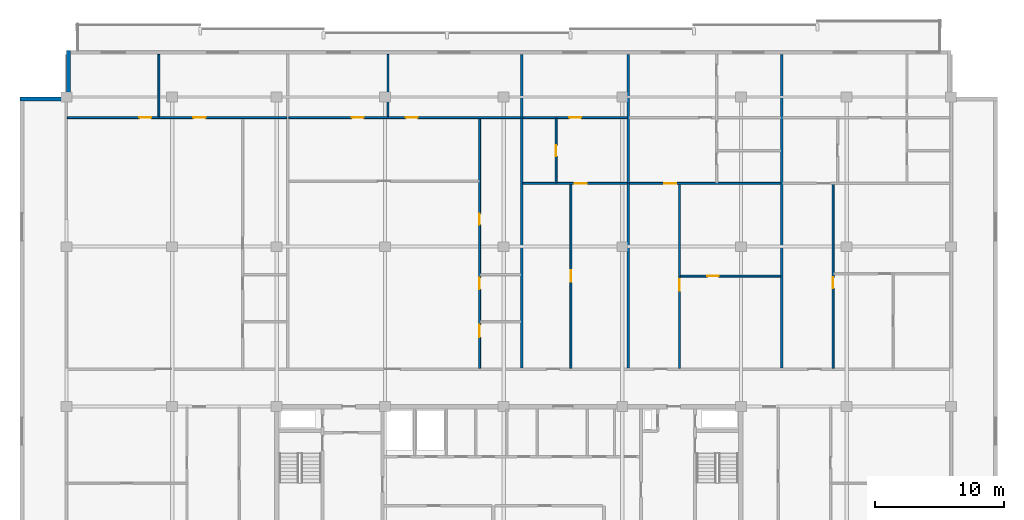
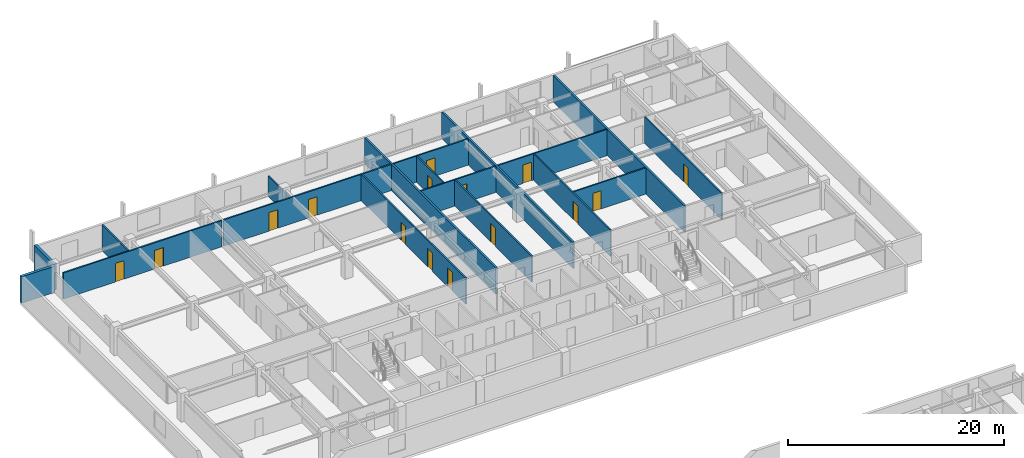
# One storey, part 14 of 22: 18 walls, 15 doors, 15 openings.
"""IFC4 building model written with IfcOpenShell, lengths in metres."""

from ifc_helpers import new_model, si_unit, direction, frame, frame_2d, origin, place, context, subcontext, project, spatial, rectangle, extrude, material, layer, layer_set, type_object, element, fill, save


model = new_model("IFC4")

# Units and contexts
model_context = context("Model", 3, precision=1e-05, world=origin(), true_north=direction((0.0, 1.0)))
body_context = subcontext(model_context, "Body", "Model", "MODEL_VIEW")
ifc_project = project(units=[si_unit("LENGTHUNIT", "METRE"), si_unit("AREAUNIT", "SQUARE_METRE"), si_unit("VOLUMEUNIT", "CUBIC_METRE"), si_unit("PLANEANGLEUNIT", "RADIAN"), si_unit("MASSUNIT", "GRAM", prefix="KILO")], contexts=[model_context])

# Site, building, storey
site_placement = place(None, origin())
site = spatial("IfcSite", under=ifc_project, at=site_placement, CompositionType="ELEMENT")
building_placement = place(site_placement, origin())
building = spatial("IfcBuilding", under=site, at=building_placement, Name="Korimba Cascade Residences", CompositionType="ELEMENT")
storey_placement = place(building_placement, frame((0.0, 0.0, 181.60009765625)))
storey = spatial("IfcBuildingStorey", under=building, at=storey_placement, Name="L52", CompositionType="ELEMENT", Elevation=181.60009765625)

# Walls
ifc_material_1 = material(Name="Precast concrete C40/50", Category="concrete")
ifc_layer_1 = layer(ifc_material_1, 0.300048828125)
ifc_layer_set_1 = layer_set([ifc_layer_1], Name="Precast concrete C40/50")
wall_type_1 = type_object("IfcWallType", Name="EW-STONE-300", PredefinedType="STANDARD", material=ifc_layer_set_1)
for number, where, z_axis, x_axis, name in (
    (1, (59.949951171875, 94.800048828125, 0.0), (0.0, 0.0, 1.0), (0.0, -1.0, 0.0), "L52 T1 Perimeter Stone Wall E07"),
    (2, (59.800048828125, 91.050048828125, 0.0), (0.0, 0.0, 1.0), (-1.0, 0.0, 0.0), "L52 T1 Perimeter Stone Wall E08"),
):
    element("IfcWall", number, at=place(storey_placement, frame(where, z_axis=z_axis, x_axis=x_axis)), inside=storey, type_object=wall_type_1, Name=name, PredefinedType="STANDARD", context=body_context, shape_type="SweptSolid", body=[
        extrude(rectangle(XDim=3.60009765625, YDim=0.300048828125, at=frame_2d((1.800048828125, 0.0))), origin(), (0.0, 0.0, 1.0), 2.969970703125),
    ])
ifc_layer_2 = layer(ifc_material_1, 0.199951171875)
ifc_layer_set_2 = layer_set([ifc_layer_2], Name="Precast concrete C40/50")
wall_type_2 = type_object("IfcWallType", Name="WAL-IT-200", PredefinedType="PARTITIONING", material=ifc_layer_set_2)
for number, where, z_axis, x_axis, name in (
    (3, (95.111328125, 70.179931640625, 0.0), (0.0, 0.0, 1.0), (0.0, 1.0, 0.0), "L52 Partition Wall WAL-L52-T1-DEM-2"),
    (4, (103.37060546875, 70.179931640625, 0.0), (0.0, 0.0, 1.0), (0.0, 1.0, 0.0), "L52 Partition Wall WAL-L52-T1-DEM-3"),
    (5, (115.27734375, 70.179931640625, 0.0), (0.0, 0.0, 1.0), (0.0, 1.0, 0.0), "L52 Partition Wall WAL-L52-T1-DEM-4"),
):
    element("IfcWall", number, at=place(storey_placement, frame(where, z_axis=z_axis, x_axis=x_axis)), inside=storey, type_object=wall_type_2, Name=name, PredefinedType="PARTITIONING", context=body_context, shape_type="SweptSolid", body=[
        extrude(rectangle(XDim=24.320068359375, YDim=0.199951171875, at=frame_2d((12.16015625, 0.0))), origin(), (0.0, 0.0, 1.0), 2.969970703125),
    ])
ifc_material_2 = material(Name="Insulated Acoustic Stud Partition", Category="gypsum")
ifc_layer_3 = layer(ifc_material_2, 0.14990234375)
ifc_layer_set_3 = layer_set([ifc_layer_3], Name="Insulated Acoustic Stud Partition")
wall_type_3 = type_object("IfcWallType", Name="WAL-PART-150", PredefinedType="PARTITIONING", material=ifc_layer_set_3)
wall_1_placement = place(storey_placement, frame((66.964111328125, 89.679931640625, 0.0), z_axis=(0.0, 0.0, 1.0), x_axis=(0.0, 1.0, 0.0)))
element("IfcWall", 6, at=wall_1_placement, inside=storey, type_object=wall_type_3, Name="L52 Partition Wall WAL-L52-T1-U01-OUTV", PredefinedType="PARTITIONING", context=body_context, shape_type="SweptSolid", body=[
    extrude(rectangle(XDim=4.820068359375, YDim=0.14990234375, at=frame_2d((2.41015625, 0.0))), origin(), (0.0, 0.0, 1.0), 2.969970703125),
])

# Wall, openings, doors
wall_2_placement = place(storey_placement, frame((59.8798828125, 89.60009765625, 0.0), z_axis=(0.0, 0.0, 1.0), x_axis=(1.0, 0.0, 0.0)))
wall_2 = element("IfcWall", 7, at=wall_2_placement, inside=storey, type_object=wall_type_3, Name="L52 Partition Wall WAL-L52-T1-U01-HZ", PredefinedType="PARTITIONING", context=body_context, shape_type="SweptSolid", body=[
    extrude(rectangle(XDim=17.00830078125, YDim=0.14990234375, at=frame_2d((8.504150390625, 0.0))), origin(), (0.0, 0.0, 1.0), 2.969970703125),
])
opening_1_placement = place(wall_2_placement, frame((5.555419921875, 0.0, 0.0)))
opening_1 = element("IfcOpeningElement", 8, at=opening_1_placement, cuts=wall_2, Name="Opening D-IN0", PredefinedType="OPENING", context=body_context, shape_type="SweptSolid", body=[
    extrude(rectangle(XDim=0.93994140625, YDim=2.10009765625, at=frame_2d((0.469970703125, 1.050048828125))), frame((0.0, 0.0849609375, 0.0), z_axis=(0.0, -1.0, 0.0), x_axis=(1.0, 0.0, 0.0)), (0.0, 0.0, 1.0), 0.169921875),
])
opening_2_placement = place(wall_2_placement, frame((9.764892578125, 0.0, 0.0)))
opening_2 = element("IfcOpeningElement", 9, at=opening_2_placement, cuts=wall_2, Name="Opening D-IN0", PredefinedType="OPENING", context=body_context, shape_type="SweptSolid", body=[
    extrude(rectangle(XDim=0.93994140625, YDim=2.10009765625, at=frame_2d((0.469970703125, 1.050048828125))), frame((0.0, 0.0849609375, 0.0), z_axis=(0.0, -1.0, 0.0), x_axis=(1.0, 0.0, 0.0)), (0.0, 0.0, 1.0), 0.169921875),
])
ifc_material_3 = material(Name="Acoustic Timber Living Archway Door", Category="wood")
door_type_1 = type_object("IfcDoorType", Name="DR-INT-950", OperationType="NOTDEFINED", PredefinedType="DOOR", material=ifc_material_3)
door_1_placement = place(opening_1_placement, origin())
door_1 = element("IfcDoor", 10, at=door_1_placement, inside=storey, type_object=door_type_1, Name="L52-T1-U01 Resident Boardroom Door", OperationType="SINGLE_SWING_LEFT", OverallHeight=2.10009765625, OverallWidth=0.93994140625, PredefinedType="DOOR", context=body_context, shape_type="SweptSolid", body=[
    extrude(rectangle(XDim=0.93994140625, YDim=2.10009765625, at=frame_2d((0.469970703125, 1.050048828125))), frame((0.0, 0.02490234375, 0.0), z_axis=(0.0, -1.0, 0.0), x_axis=(1.0, 0.0, 0.0)), (0.0, 0.0, 1.0), 0.050048828125),
])
fill(opening_1, door_1)
door_2_placement = place(opening_2_placement, origin())
door_2 = element("IfcDoor", 11, at=door_2_placement, inside=storey, type_object=door_type_1, Name="L52-T1-U01 Executive Seminar Room Door", OperationType="SINGLE_SWING_RIGHT", OverallHeight=2.10009765625, OverallWidth=0.93994140625, PredefinedType="DOOR", context=body_context, shape_type="SweptSolid", body=[
    extrude(rectangle(XDim=0.93994140625, YDim=2.10009765625, at=frame_2d((0.469970703125, 1.050048828125))), frame((0.0, 0.02490234375, 0.0), z_axis=(0.0, -1.0, 0.0), x_axis=(1.0, 0.0, 0.0)), (0.0, 0.0, 1.0), 0.050048828125),
])
fill(opening_2, door_2)

wall_3_placement = place(storey_placement, frame((91.84130859375, 70.159912109375, 0.0), z_axis=(0.0, 0.0, 1.0), x_axis=(0.0, 1.0, 0.0)))
wall_3 = element("IfcWall", 12, at=wall_3_placement, inside=storey, type_object=wall_type_3, Name="L52 Partition Wall WAL-L52-T1-U02-WCV", PredefinedType="PARTITIONING", context=body_context, shape_type="SweptSolid", body=[
    extrude(rectangle(XDim=19.380126953125, YDim=0.14990234375, at=frame_2d((9.68994140625, 0.0))), origin(), (0.0, 0.0, 1.0), 2.969970703125),
])
opening_3_placement = place(wall_3_placement, frame((2.406005859375, 0.0, 0.0)))
opening_3 = element("IfcOpeningElement", 13, at=opening_3_placement, cuts=wall_3, Name="Opening D-AC1", PredefinedType="OPENING", context=body_context, shape_type="SweptSolid", body=[
    extrude(rectangle(XDim=0.9599609375, YDim=2.10009765625, at=frame_2d((0.47998046875, 1.050048828125))), frame((0.0, 0.0849609375, 0.0), z_axis=(0.0, -1.0, 0.0), x_axis=(1.0, 0.0, 0.0)), (0.0, 0.0, 1.0), 0.169921875),
])
opening_4_placement = place(wall_3_placement, frame((6.132568359375, 0.0, 0.0)))
opening_4 = element("IfcOpeningElement", 14, at=opening_4_placement, cuts=wall_3, Name="Opening D-IN2", PredefinedType="OPENING", context=body_context, shape_type="SweptSolid", body=[
    extrude(rectangle(XDim=0.8798828125, YDim=2.06005859375, at=frame_2d((0.43994140625, 1.030029296875))), frame((0.0, 0.0849609375, 0.0), z_axis=(0.0, -1.0, 0.0), x_axis=(1.0, 0.0, 0.0)), (0.0, 0.0, 1.0), 0.169921875),
])
opening_5_placement = place(wall_3_placement, frame((11.138916015625, 0.0, 0.0)))
opening_5 = element("IfcOpeningElement", 15, at=opening_5_placement, cuts=wall_3, Name="Opening D-BT1", PredefinedType="OPENING", context=body_context, shape_type="SweptSolid", body=[
    extrude(rectangle(XDim=0.840087890625, YDim=2.0400390625, at=frame_2d((0.419921875, 1.02001953125))), frame((0.0, 0.0849609375, 0.0), z_axis=(0.0, -1.0, 0.0), x_axis=(1.0, 0.0, 0.0)), (0.0, 0.0, 1.0), 0.169921875),
])
ifc_material_4 = material(Name="Accessible Acoustic Timber WC Door", Category="wood")
door_type_2 = type_object("IfcDoorType", Name="DR-ACC-950", OperationType="NOTDEFINED", PredefinedType="DOOR", material=ifc_material_4)
door_3_placement = place(opening_3_placement, origin())
door_3 = element("IfcDoor", 16, at=door_3_placement, inside=storey, type_object=door_type_2, Name="L52-T1-U02 Accessible WC Door", OperationType="SINGLE_SWING_RIGHT", OverallHeight=2.10009765625, OverallWidth=0.9599609375, PredefinedType="DOOR", context=body_context, shape_type="SweptSolid", body=[
    extrude(rectangle(XDim=0.9599609375, YDim=2.10009765625, at=frame_2d((0.47998046875, 1.050048828125))), frame((0.0, 0.02490234375, 0.0), z_axis=(0.0, -1.0, 0.0), x_axis=(1.0, 0.0, 0.0)), (0.0, 0.0, 1.0), 0.050048828125),
])
fill(opening_3, door_3)
ifc_material_5 = material(Name="Moisture-Resistant Bathroom Timber Door", Category="wood")
door_type_3 = type_object("IfcDoorType", Name="DR-INT-850", OperationType="NOTDEFINED", PredefinedType="DOOR", material=ifc_material_5)
door_4_placement = place(opening_5_placement, origin())
door_4 = element("IfcDoor", 17, at=door_4_placement, inside=storey, type_object=door_type_3, Name="L52-T1-U02 Suite Store Door", OperationType="SINGLE_SWING_RIGHT", OverallHeight=2.0400390625, OverallWidth=0.840087890625, PredefinedType="DOOR", context=body_context, shape_type="SweptSolid", body=[
    extrude(rectangle(XDim=0.840087890625, YDim=2.0400390625, at=frame_2d((0.419921875, 1.02001953125))), frame((0.0, 0.02490234375, 0.0), z_axis=(0.0, -1.0, 0.0), x_axis=(1.0, 0.0, 0.0)), (0.0, 0.0, 1.0), 0.050048828125),
])
fill(opening_5, door_4)
ifc_material_6 = material(Name="Acoustic Timber Bedroom Door", Category="wood")
door_type_4 = type_object("IfcDoorType", Name="DR-INT-880", OperationType="NOTDEFINED", PredefinedType="DOOR", material=ifc_material_6)
door_5_placement = place(opening_4_placement, origin())
door_5 = element("IfcDoor", 18, at=door_5_placement, inside=storey, type_object=door_type_4, Name="L52-T1-U02 Restroom WC Door", OperationType="SINGLE_SWING_LEFT", OverallHeight=2.06005859375, OverallWidth=0.8798828125, PredefinedType="DOOR", context=body_context, shape_type="SweptSolid", body=[
    extrude(rectangle(XDim=0.8798828125, YDim=2.06005859375, at=frame_2d((0.43994140625, 1.030029296875))), frame((0.0, 0.02490234375, 0.0), z_axis=(0.0, -1.0, 0.0), x_axis=(1.0, 0.0, 0.0)), (0.0, 0.0, 1.0), 0.050048828125),
])
fill(opening_4, door_5)

# Wall
wall_4_placement = place(storey_placement, frame((84.73486328125, 89.679931640625, 0.0), z_axis=(0.0, 0.0, 1.0), x_axis=(0.0, 1.0, 0.0)))
element("IfcWall", 19, at=wall_4_placement, inside=storey, type_object=wall_type_3, Name="L52 Partition Wall WAL-L52-T1-U02-OUTV", PredefinedType="PARTITIONING", context=body_context, shape_type="SweptSolid", body=[
    extrude(rectangle(XDim=4.820068359375, YDim=0.14990234375, at=frame_2d((2.41015625, 0.0))), origin(), (0.0, 0.0, 1.0), 2.277099609375),
])

# Wall, openings, doors
wall_5_placement = place(storey_placement, frame((77.048095703125, 89.60009765625, 0.0), z_axis=(0.0, 0.0, 1.0), x_axis=(1.0, 0.0, 0.0)))
wall_5 = element("IfcWall", 20, at=wall_5_placement, inside=storey, type_object=wall_type_3, Name="L52 Partition Wall WAL-L52-T1-U02-HZ", PredefinedType="PARTITIONING", context=body_context, shape_type="SweptSolid", body=[
    extrude(rectangle(XDim=17.9833984375, YDim=0.14990234375, at=frame_2d((8.99169921875, 0.0))), origin(), (0.0, 0.0, 1.0), 2.969970703125),
])
opening_6_placement = place(wall_5_placement, frame((4.87255859375, 0.0, 0.0)))
opening_6 = element("IfcOpeningElement", 21, at=opening_6_placement, cuts=wall_5, Name="Opening D-IN0", PredefinedType="OPENING", context=body_context, shape_type="SweptSolid", body=[
    extrude(rectangle(XDim=0.93994140625, YDim=2.10009765625, at=frame_2d((0.469970703125, 1.050048828125))), frame((0.0, 0.0849609375, 0.0), z_axis=(0.0, -1.0, 0.0), x_axis=(1.0, 0.0, 0.0)), (0.0, 0.0, 1.0), 0.169921875),
])
opening_7_placement = place(wall_5_placement, frame((9.06982421875, 0.0, 0.0)))
opening_7 = element("IfcOpeningElement", 22, at=opening_7_placement, cuts=wall_5, Name="Opening D-IN0", PredefinedType="OPENING", context=body_context, shape_type="SweptSolid", body=[
    extrude(rectangle(XDim=0.93994140625, YDim=2.10009765625, at=frame_2d((0.469970703125, 1.050048828125))), frame((0.0, 0.0849609375, 0.0), z_axis=(0.0, -1.0, 0.0), x_axis=(1.0, 0.0, 0.0)), (0.0, 0.0, 1.0), 0.169921875),
])
door_6_placement = place(opening_6_placement, origin())
door_6 = element("IfcDoor", 23, at=door_6_placement, inside=storey, type_object=door_type_1, Name="L52-T1-U02 Hydrotherapy Wellness Clinic Door", OperationType="SINGLE_SWING_LEFT", OverallHeight=2.10009765625, OverallWidth=0.93994140625, PredefinedType="DOOR", context=body_context, shape_type="SweptSolid", body=[
    extrude(rectangle(XDim=0.93994140625, YDim=2.10009765625, at=frame_2d((0.469970703125, 1.050048828125))), frame((0.0, 0.02490234375, 0.0), z_axis=(0.0, -1.0, 0.0), x_axis=(1.0, 0.0, 0.0)), (0.0, 0.0, 1.0), 0.050048828125),
])
fill(opening_6, door_6)
door_7_placement = place(opening_7_placement, origin())
door_7 = element("IfcDoor", 24, at=door_7_placement, inside=storey, type_object=door_type_1, Name="L52-T1-U02 Physiotherapy Treatment Room Door", OperationType="SINGLE_SWING_RIGHT", OverallHeight=2.10009765625, OverallWidth=0.93994140625, PredefinedType="DOOR", context=body_context, shape_type="SweptSolid", body=[
    extrude(rectangle(XDim=0.93994140625, YDim=2.10009765625, at=frame_2d((0.469970703125, 1.050048828125))), frame((0.0, 0.02490234375, 0.0), z_axis=(0.0, -1.0, 0.0), x_axis=(1.0, 0.0, 0.0)), (0.0, 0.0, 1.0), 0.050048828125),
])
fill(opening_7, door_7)

# Wall, opening, door
wall_6_placement = place(storey_placement, frame((98.920166015625, 70.159912109375, 0.0), z_axis=(0.0, 0.0, 1.0), x_axis=(0.0, 1.0, 0.0)))
wall_6 = element("IfcWall", 25, at=wall_6_placement, inside=storey, type_object=wall_type_3, Name="L52 Partition Wall WAL-L52-T1-U03-FV", PredefinedType="PARTITIONING", context=body_context, shape_type="SweptSolid", body=[
    extrude(rectangle(XDim=14.300048828125, YDim=0.14990234375, at=frame_2d((7.14990234375, 0.0))), origin(), (0.0, 0.0, 1.0), 2.969970703125),
])
opening_8_placement = place(wall_6_placement, frame((6.7099609375, 0.0, 0.0)))
opening_8 = element("IfcOpeningElement", 26, at=opening_8_placement, cuts=wall_6, Name="Opening D-IN2", PredefinedType="OPENING", context=body_context, shape_type="SweptSolid", body=[
    extrude(rectangle(XDim=0.8798828125, YDim=2.06005859375, at=frame_2d((0.43994140625, 1.030029296875))), frame((0.0, 0.0849609375, 0.0), z_axis=(0.0, -1.0, 0.0), x_axis=(1.0, 0.0, 0.0)), (0.0, 0.0, 1.0), 0.169921875),
])
door_8_placement = place(opening_8_placement, origin())
door_8 = element("IfcDoor", 27, at=door_8_placement, inside=storey, type_object=door_type_4, Name="L52-T1-U03 Media Lounge Door", OperationType="SINGLE_SWING_LEFT", OverallHeight=2.06005859375, OverallWidth=0.8798828125, PredefinedType="DOOR", context=body_context, shape_type="SweptSolid", body=[
    extrude(rectangle(XDim=0.8798828125, YDim=2.06005859375, at=frame_2d((0.43994140625, 1.030029296875))), frame((0.0, 0.02490234375, 0.0), z_axis=(0.0, -1.0, 0.0), x_axis=(1.0, 0.0, 0.0)), (0.0, 0.0, 1.0), 0.050048828125),
])
fill(opening_8, door_8)

wall_7_placement = place(storey_placement, frame((97.771484375, 84.5400390625, 0.0), z_axis=(0.0, 0.0, 1.0), x_axis=(0.0, 1.0, 0.0)))
wall_7 = element("IfcWall", 28, at=wall_7_placement, inside=storey, type_object=wall_type_3, Name="L52 Partition Wall WAL-L52-T1-U03-BM", PredefinedType="PARTITIONING", context=body_context, shape_type="SweptSolid", body=[
    extrude(rectangle(XDim=5.0, YDim=0.14990234375, at=frame_2d((2.5, 0.0))), origin(), (0.0, 0.0, 1.0), 2.969970703125),
])
opening_9_placement = place(wall_7_placement, frame((2.080078125, 0.0, 0.0)))
opening_9 = element("IfcOpeningElement", 29, at=opening_9_placement, cuts=wall_7, Name="Opening D-BT1", PredefinedType="OPENING", context=body_context, shape_type="SweptSolid", body=[
    extrude(rectangle(XDim=0.840087890625, YDim=2.0400390625, at=frame_2d((0.419921875, 1.02001953125))), frame((0.0, 0.0849609375, 0.0), z_axis=(0.0, -1.0, 0.0), x_axis=(1.0, 0.0, 0.0)), (0.0, 0.0, 1.0), 0.169921875),
])
door_9_placement = place(opening_9_placement, origin())
door_9 = element("IfcDoor", 30, at=door_9_placement, inside=storey, type_object=door_type_3, Name="L52-T1-U03 Bathroom Door", OperationType="SINGLE_SWING_RIGHT", OverallHeight=2.0400390625, OverallWidth=0.840087890625, PredefinedType="DOOR", context=body_context, shape_type="SweptSolid", body=[
    extrude(rectangle(XDim=0.840087890625, YDim=2.0400390625, at=frame_2d((0.419921875, 1.02001953125))), frame((0.0, 0.02490234375, 0.0), z_axis=(0.0, -1.0, 0.0), x_axis=(1.0, 0.0, 0.0)), (0.0, 0.0, 1.0), 0.050048828125),
])
fill(opening_9, door_9)

wall_8_placement = place(storey_placement, frame((95.19140625, 84.5, 0.0), z_axis=(0.0, 0.0, 1.0), x_axis=(1.0, 0.0, 0.0)))
wall_8 = element("IfcWall", 31, at=wall_8_placement, inside=storey, type_object=wall_type_3, Name="L52 Partition Wall WAL-L52-T1-U03-MW", PredefinedType="PARTITIONING", context=body_context, shape_type="SweptSolid", body=[
    extrude(rectangle(XDim=8.09912109375, YDim=0.14990234375, at=frame_2d((4.049560546875, 0.0))), origin(), (0.0, 0.0, 1.0), 2.969970703125),
])
opening_10_placement = place(wall_8_placement, frame((4.026611328125, 0.0, 0.0)))
opening_10 = element("IfcOpeningElement", 32, at=opening_10_placement, cuts=wall_8, Name="Opening D-IN1", PredefinedType="OPENING", context=body_context, shape_type="SweptSolid", body=[
    extrude(rectangle(XDim=0.919921875, YDim=2.080078125, at=frame_2d((0.4599609375, 1.0400390625))), frame((0.0, 0.0849609375, 0.0), z_axis=(0.0, -1.0, 0.0), x_axis=(1.0, 0.0, 0.0)), (0.0, 0.0, 1.0), 0.169921875),
])
ifc_material_7 = material(Name="Acoustic Timber Living Door", Category="wood")
door_type_5 = type_object("IfcDoorType", Name="DR-INT-920", OperationType="NOTDEFINED", PredefinedType="DOOR", material=ifc_material_7)
door_10_placement = place(opening_10_placement, origin())
door_10 = element("IfcDoor", 33, at=door_10_placement, inside=storey, type_object=door_type_5, Name="L52-T1-U03 Studio Kitchen Door", OperationType="SINGLE_SWING_LEFT", OverallHeight=2.080078125, OverallWidth=0.919921875, PredefinedType="DOOR", context=body_context, shape_type="SweptSolid", body=[
    extrude(rectangle(XDim=0.919921875, YDim=2.080078125, at=frame_2d((0.4599609375, 1.0400390625))), frame((0.0, 0.02490234375, 0.0), z_axis=(0.0, -1.0, 0.0), x_axis=(1.0, 0.0, 0.0)), (0.0, 0.0, 1.0), 0.050048828125),
])
fill(opening_10, door_10)

wall_9_placement = place(storey_placement, frame((95.19140625, 89.60009765625, 0.0), z_axis=(0.0, 0.0, 1.0), x_axis=(1.0, 0.0, 0.0)))
wall_9 = element("IfcWall", 34, at=wall_9_placement, inside=storey, type_object=wall_type_3, Name="L52 Partition Wall WAL-L52-T1-U03-HZ", PredefinedType="PARTITIONING", context=body_context, shape_type="SweptSolid", body=[
    extrude(rectangle(XDim=8.09912109375, YDim=0.14990234375, at=frame_2d((4.049560546875, 0.0))), origin(), (0.0, 0.0, 1.0), 2.969970703125),
])
opening_11_placement = place(wall_9_placement, frame((3.589599609375, 0.0, 0.0)))
opening_11 = element("IfcOpeningElement", 35, at=opening_11_placement, cuts=wall_9, Name="Opening D-IN1", PredefinedType="OPENING", context=body_context, shape_type="SweptSolid", body=[
    extrude(rectangle(XDim=0.919921875, YDim=2.080078125, at=frame_2d((0.4599609375, 1.0400390625))), frame((0.0, 0.0849609375, 0.0), z_axis=(0.0, -1.0, 0.0), x_axis=(1.0, 0.0, 0.0)), (0.0, 0.0, 1.0), 0.169921875),
])
door_11_placement = place(opening_11_placement, origin())
door_11 = element("IfcDoor", 36, at=door_11_placement, inside=storey, type_object=door_type_5, Name="L52-T1-U03 Studio Door", OperationType="SINGLE_SWING_RIGHT", OverallHeight=2.080078125, OverallWidth=0.919921875, PredefinedType="DOOR", context=body_context, shape_type="SweptSolid", body=[
    extrude(rectangle(XDim=0.919921875, YDim=2.080078125, at=frame_2d((0.4599609375, 1.0400390625))), frame((0.0, 0.02490234375, 0.0), z_axis=(0.0, -1.0, 0.0), x_axis=(1.0, 0.0, 0.0)), (0.0, 0.0, 1.0), 0.050048828125),
])
fill(opening_11, door_11)

wall_10_placement = place(storey_placement, frame((107.400390625, 77.31005859375, 0.0), z_axis=(0.0, 0.0, 1.0), x_axis=(1.0, 0.0, 0.0)))
wall_10 = element("IfcWall", 37, at=wall_10_placement, inside=storey, type_object=wall_type_3, Name="L52 Partition Wall WAL-L52-T1-U04-FMH", PredefinedType="PARTITIONING", context=body_context, shape_type="SweptSolid", body=[
    extrude(rectangle(XDim=7.796875, YDim=0.14990234375, at=frame_2d((3.8984375, 0.0))), origin(), (0.0, 0.0, 1.0), 2.969970703125),
])
opening_12_placement = place(wall_10_placement, frame((2.0908203125, 0.0, 0.0)))
opening_12 = element("IfcOpeningElement", 38, at=opening_12_placement, cuts=wall_10, Name="Opening D-IN2", PredefinedType="OPENING", context=body_context, shape_type="SweptSolid", body=[
    extrude(rectangle(XDim=0.8798828125, YDim=2.06005859375, at=frame_2d((0.43994140625, 1.030029296875))), frame((0.0, 0.0849609375, 0.0), z_axis=(0.0, -1.0, 0.0), x_axis=(1.0, 0.0, 0.0)), (0.0, 0.0, 1.0), 0.169921875),
])
door_12_placement = place(opening_12_placement, origin())
door_12 = element("IfcDoor", 39, at=door_12_placement, inside=storey, type_object=door_type_4, Name="L52-T1-U04 Library Salon Door", OperationType="SINGLE_SWING_LEFT", OverallHeight=2.06005859375, OverallWidth=0.8798828125, PredefinedType="DOOR", context=body_context, shape_type="SweptSolid", body=[
    extrude(rectangle(XDim=0.8798828125, YDim=2.06005859375, at=frame_2d((0.43994140625, 1.030029296875))), frame((0.0, 0.02490234375, 0.0), z_axis=(0.0, -1.0, 0.0), x_axis=(1.0, 0.0, 0.0)), (0.0, 0.0, 1.0), 0.050048828125),
])
fill(opening_12, door_12)

wall_11_placement = place(storey_placement, frame((107.340576171875, 70.159912109375, 0.0), z_axis=(0.0, 0.0, 1.0), x_axis=(0.0, 1.0, 0.0)))
wall_11 = element("IfcWall", 40, at=wall_11_placement, inside=storey, type_object=wall_type_3, Name="L52 Partition Wall WAL-L52-T1-U04-FV", PredefinedType="PARTITIONING", context=body_context, shape_type="SweptSolid", body=[
    extrude(rectangle(XDim=14.300048828125, YDim=0.14990234375, at=frame_2d((7.14990234375, 0.0))), origin(), (0.0, 0.0, 1.0), 2.969970703125),
])
opening_13_placement = place(wall_11_placement, frame((6.02001953125, 0.0, 0.0)))
opening_13 = element("IfcOpeningElement", 41, at=opening_13_placement, cuts=wall_11, Name="Opening D-IN2", PredefinedType="OPENING", context=body_context, shape_type="SweptSolid", body=[
    extrude(rectangle(XDim=0.8798828125, YDim=2.06005859375, at=frame_2d((0.43994140625, 1.030029296875))), frame((0.0, 0.0849609375, 0.0), z_axis=(0.0, -1.0, 0.0), x_axis=(1.0, 0.0, 0.0)), (0.0, 0.0, 1.0), 0.169921875),
])
door_13_placement = place(opening_13_placement, origin())
door_13 = element("IfcDoor", 42, at=door_13_placement, inside=storey, type_object=door_type_4, Name="L52-T1-U04 Media Lounge Door", OperationType="SINGLE_SWING_RIGHT", OverallHeight=2.06005859375, OverallWidth=0.8798828125, PredefinedType="DOOR", context=body_context, shape_type="SweptSolid", body=[
    extrude(rectangle(XDim=0.8798828125, YDim=2.06005859375, at=frame_2d((0.43994140625, 1.030029296875))), frame((0.0, 0.02490234375, 0.0), z_axis=(0.0, -1.0, 0.0), x_axis=(1.0, 0.0, 0.0)), (0.0, 0.0, 1.0), 0.050048828125),
])
fill(opening_13, door_13)

wall_12_placement = place(storey_placement, frame((103.450439453125, 84.5, 0.0), z_axis=(0.0, 0.0, 1.0), x_axis=(1.0, 0.0, 0.0)))
wall_12 = element("IfcWall", 43, at=wall_12_placement, inside=storey, type_object=wall_type_3, Name="L52 Partition Wall WAL-L52-T1-U04-MW", PredefinedType="PARTITIONING", context=body_context, shape_type="SweptSolid", body=[
    extrude(rectangle(XDim=11.746826171875, YDim=0.14990234375, at=frame_2d((5.87353515625, 0.0))), origin(), (0.0, 0.0, 1.0), 2.969970703125),
])
opening_14_placement = place(wall_12_placement, frame((2.719970703125, 0.0, 0.0)))
opening_14 = element("IfcOpeningElement", 44, at=opening_14_placement, cuts=wall_12, Name="Opening D-IN1", PredefinedType="OPENING", context=body_context, shape_type="SweptSolid", body=[
    extrude(rectangle(XDim=0.919921875, YDim=2.080078125, at=frame_2d((0.4599609375, 1.0400390625))), frame((0.0, 0.0849609375, 0.0), z_axis=(0.0, -1.0, 0.0), x_axis=(1.0, 0.0, 0.0)), (0.0, 0.0, 1.0), 0.169921875),
])
door_14_placement = place(opening_14_placement, origin())
door_14 = element("IfcDoor", 45, at=door_14_placement, inside=storey, type_object=door_type_5, Name="L52-T1-U04 Kitchen Archway Door", OperationType="SINGLE_SWING_RIGHT", OverallHeight=2.080078125, OverallWidth=0.919921875, PredefinedType="DOOR", context=body_context, shape_type="SweptSolid", body=[
    extrude(rectangle(XDim=0.919921875, YDim=2.080078125, at=frame_2d((0.4599609375, 1.0400390625))), frame((0.0, 0.02490234375, 0.0), z_axis=(0.0, -1.0, 0.0), x_axis=(1.0, 0.0, 0.0)), (0.0, 0.0, 1.0), 0.050048828125),
])
fill(opening_14, door_14)

wall_13_placement = place(storey_placement, frame((119.247314453125, 70.159912109375, 0.0), z_axis=(0.0, 0.0, 1.0), x_axis=(0.0, 1.0, 0.0)))
wall_13 = element("IfcWall", 46, at=wall_13_placement, inside=storey, type_object=wall_type_3, Name="L52 Partition Wall WAL-L52-T1-U05-FV", PredefinedType="PARTITIONING", context=body_context, shape_type="SweptSolid", body=[
    extrude(rectangle(XDim=14.300048828125, YDim=0.14990234375, at=frame_2d((7.14990234375, 0.0))), origin(), (0.0, 0.0, 1.0), 2.969970703125),
])
opening_15_placement = place(wall_13_placement, frame((6.199951171875, 0.0, 0.0)))
opening_15 = element("IfcOpeningElement", 47, at=opening_15_placement, cuts=wall_13, Name="Opening D-IN2", PredefinedType="OPENING", context=body_context, shape_type="SweptSolid", body=[
    extrude(rectangle(XDim=0.8798828125, YDim=2.06005859375, at=frame_2d((0.43994140625, 1.030029296875))), frame((0.0, 0.0849609375, 0.0), z_axis=(0.0, -1.0, 0.0), x_axis=(1.0, 0.0, 0.0)), (0.0, 0.0, 1.0), 0.169921875),
])
door_15_placement = place(opening_15_placement, origin())
door_15 = element("IfcDoor", 48, at=door_15_placement, inside=storey, type_object=door_type_4, Name="L52-T1-U05 Media Lounge Door", OperationType="SINGLE_SWING_RIGHT", OverallHeight=2.06005859375, OverallWidth=0.8798828125, PredefinedType="DOOR", context=body_context, shape_type="SweptSolid", body=[
    extrude(rectangle(XDim=0.8798828125, YDim=2.06005859375, at=frame_2d((0.43994140625, 1.030029296875))), frame((0.0, 0.02490234375, 0.0), z_axis=(0.0, -1.0, 0.0), x_axis=(1.0, 0.0, 0.0)), (0.0, 0.0, 1.0), 0.050048828125),
])
fill(opening_15, door_15)

save(model, "model.ifc")
